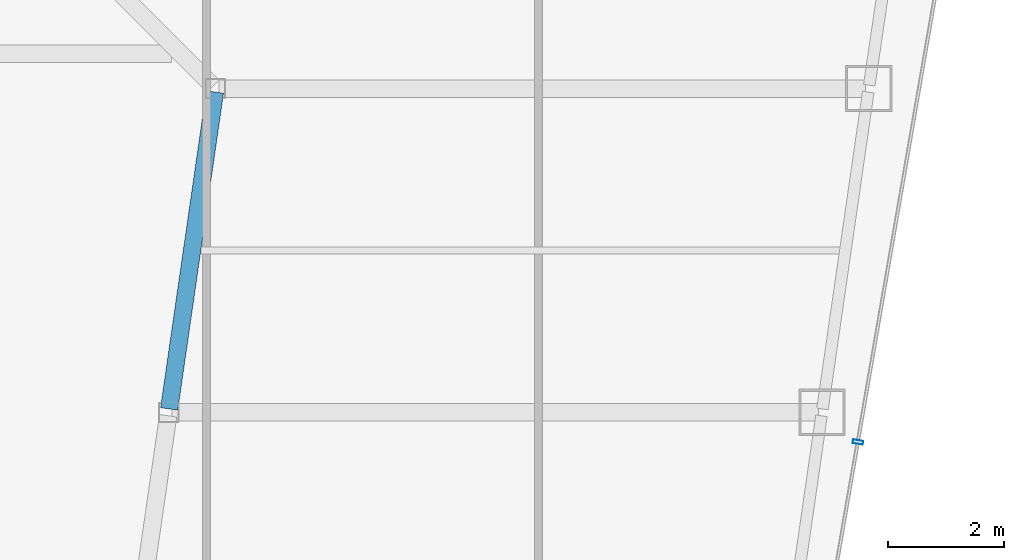
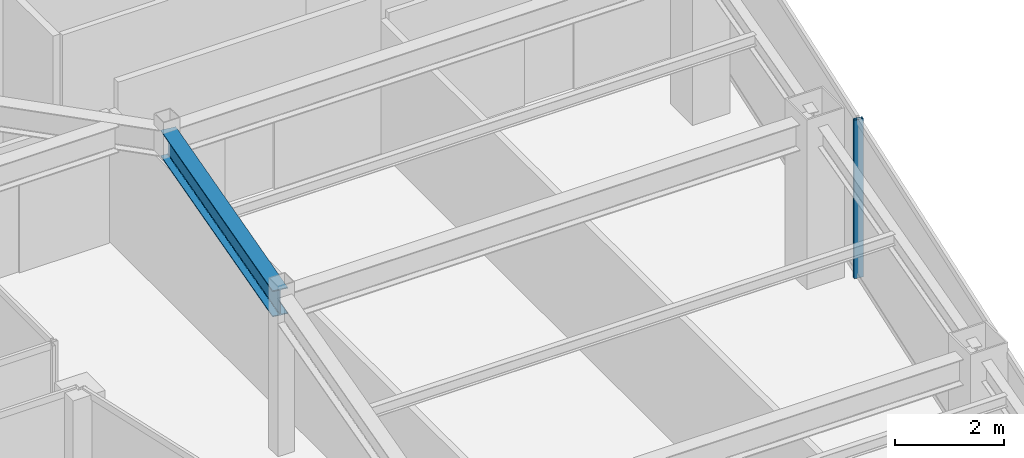
# One storey, part 16 of 32: 1 beam, 1 member, 1 element without a shape of its own.
"""IFC4 building model written with IfcOpenShell, lengths in metres."""

from ifc_helpers import new_model, si_unit, direction, frame, origin, origin_2d, place, context, subcontext, project, spatial, hollow_rectangle, i_section, extrude, material, material_profile, profile_set, type_object, element, aggregate, save


model = new_model("IFC4")

# Units and contexts
model_context = context("Model", 3, precision=1e-05, world=origin(), true_north=direction((0.0, 1.0)))
body_context = subcontext(model_context, "Body", "Model", "MODEL_VIEW")
ifc_project = project(units=[si_unit("LENGTHUNIT", "METRE"), si_unit("AREAUNIT", "SQUARE_METRE"), si_unit("VOLUMEUNIT", "CUBIC_METRE"), si_unit("PLANEANGLEUNIT", "RADIAN"), si_unit("MASSUNIT", "GRAM", prefix="KILO")], contexts=[model_context])

# Site, building, storey
site_placement = place(None, origin())
site = spatial("IfcSite", under=ifc_project, at=site_placement, CompositionType="ELEMENT")
building_placement = place(site_placement, origin())
building = spatial("IfcBuilding", under=site, at=building_placement, Name="Saevonmaru Cultural Tower", CompositionType="ELEMENT")
storey_placement = place(building_placement, frame((0.0, 0.0, 245.800048828125)))
storey = spatial("IfcBuildingStorey", under=building, at=storey_placement, Name="L57", CompositionType="ELEMENT", Elevation=245.800048828125)

# Beam
ifc_material_1 = material(Name="Steel SM355", Category="steel")
ifc_material_profile_1 = material_profile(ifc_material_1, i_section(OverallWidth=0.300048828125, OverallDepth=0.587890625, WebThickness=0.011962890625, FlangeThickness=0.02001953125, FilletRadius=0.02392578125, at=origin_2d()), Name="H-588x300x12x20")
ifc_profile_set_1 = profile_set([ifc_material_profile_1], Name="Steel SM355")
beam_type = type_object("IfcBeamType", Name="BM-G-H588", PredefinedType="BEAM", material=ifc_profile_set_1)
beam_placement = place(storey_placement, frame((40.3916015625, 32.059326171875, 3.255859375), z_axis=(0.142964121327, 0.989727871697, 0.0), x_axis=(-0.989727871697, 0.142964121327, 0.0)))
element("IfcBeam", 1, at=beam_placement, inside=storey, type_object=beam_type, Name="L57 East Atrium Girder 3", PredefinedType="BEAM", context=body_context, shape_type="SweptSolid", body=[
    extrude(i_section(OverallWidth=0.300048828125, OverallDepth=0.587890625, WebThickness=0.011962890625, FlangeThickness=0.02001953125, FilletRadius=0.02392578125, at=origin_2d()), origin(), (0.0, 0.0, 1.0), 5.5380859375),
])

# Curtain wall, member
ifc_material_2 = material(Name="Satin Bronze Anodised Aluminium", Category="aluminium")
curtain_wall_type = type_object("IfcCurtainWallType", Name="CW-TYP-B", PredefinedType="NOTDEFINED", material=ifc_material_2)
curtain_wall_placement = place(storey_placement, origin())
curtain_wall = element("IfcCurtainWall", 2, at=curtain_wall_placement, inside=storey, type_object=curtain_wall_type, Name="L57 Unitised Curtain Wall E8", PredefinedType="NOTDEFINED")
ifc_material_profile_2 = material_profile(ifc_material_2, hollow_rectangle(XDim=0.06494140625, YDim=0.179931640625, WallThickness=0.00390625, at=origin_2d()), Name="ALU-MULL-180x65x4")
ifc_profile_set_2 = profile_set([ifc_material_profile_2], Name="Satin Bronze Anodised Aluminium")
member_type = type_object("IfcMemberType", Name="ML-CW-180x65", PredefinedType="MULLION", material=ifc_profile_set_2)
member_placement = place(storey_placement, frame((52.3056640625, 31.486328125, 0.0), z_axis=(0.0, 0.0, 1.0), x_axis=(0.170790369887, 0.985307388359, 0.0)))
member = element("IfcMember", 3, at=member_placement, type_object=member_type, Name="CW-TW-L57-E8 mullion 2", PredefinedType="MULLION", context=body_context, shape_type="SweptSolid", body=[
    extrude(hollow_rectangle(XDim=0.06494140625, YDim=0.179931640625, WallThickness=0.00390625, at=origin_2d()), origin(), (0.0, 0.0, 1.0), 3.550048828125),
])
aggregate(curtain_wall, [member])

save(model, "model.ifc")
